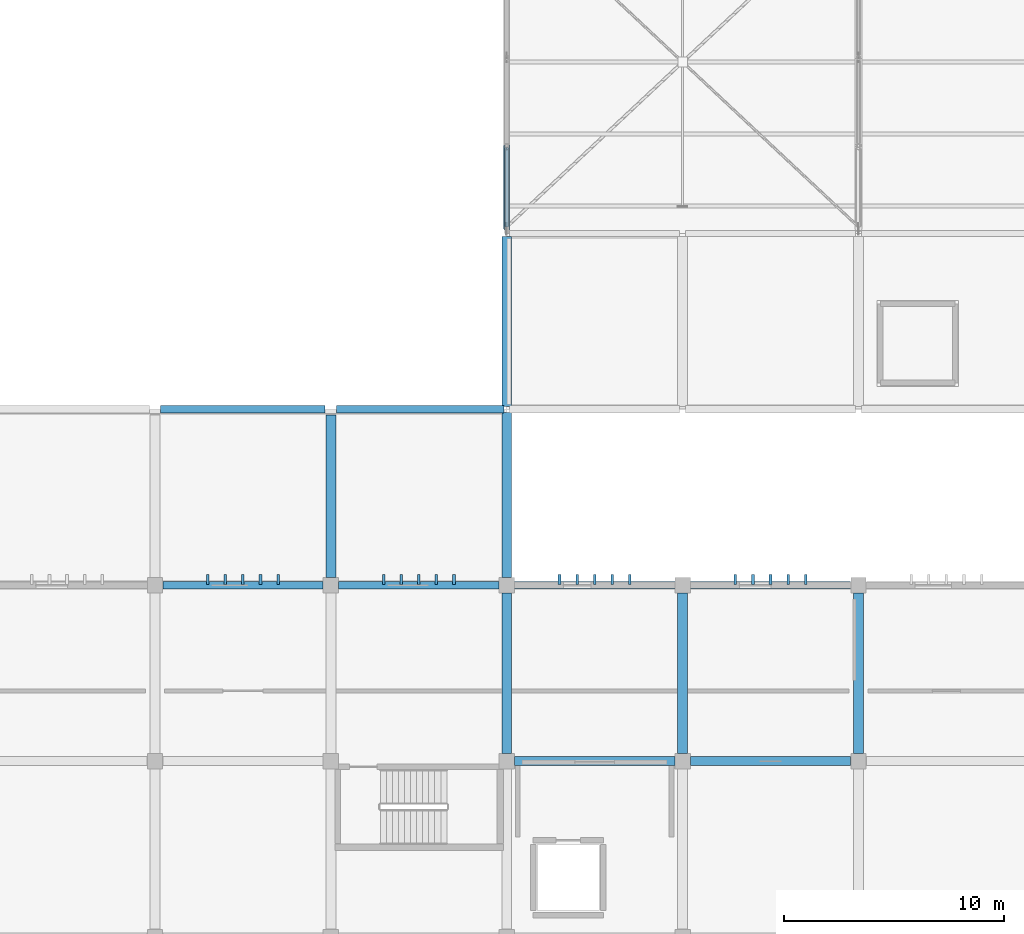
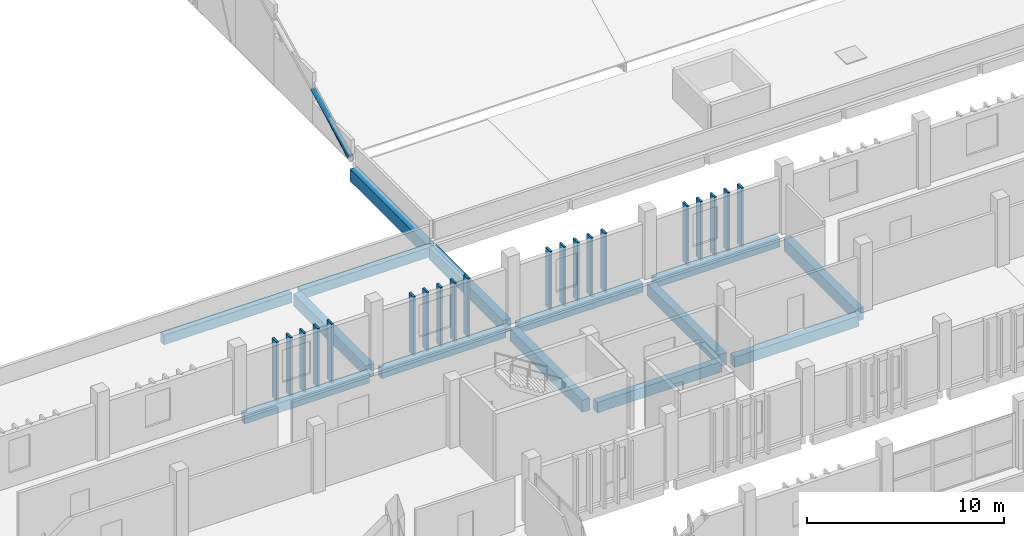
# One storey, part 35 of 137: 22 members, 14 beams.
"""IFC4 building model written with IfcOpenShell, lengths in metres."""

from ifc_helpers import new_model, si_unit, direction, frame, origin, origin_2d, place, context, subcontext, project, spatial, rectangle, hollow_circle, extrude, material, material_profile, profile_set, type_object, element, save


model = new_model("IFC4")

# Units and contexts
model_context = context("Model", 3, precision=1e-05, world=origin(), true_north=direction((0.0, 1.0)))
body_context = subcontext(model_context, "Body", "Model", "MODEL_VIEW")
ifc_project = project(units=[si_unit("LENGTHUNIT", "METRE"), si_unit("AREAUNIT", "SQUARE_METRE"), si_unit("VOLUMEUNIT", "CUBIC_METRE"), si_unit("PLANEANGLEUNIT", "RADIAN"), si_unit("MASSUNIT", "GRAM", prefix="KILO")], contexts=[model_context])

# Site, building, storey
site_placement = place(None, origin())
site = spatial("IfcSite", under=ifc_project, at=site_placement, CompositionType="ELEMENT")
building_placement = place(site_placement, origin())
building = spatial("IfcBuilding", under=site, at=building_placement, Name="Jelvoka-Kovrelna Polytechnic", CompositionType="ELEMENT")
storey_placement = place(building_placement, frame((0.0, 0.0, 9.60009765625)))
storey = spatial("IfcBuildingStorey", under=building, at=storey_placement, Name="L03", CompositionType="ELEMENT", Elevation=9.60009765625)

# Beams
ifc_material_1 = material(Name="Concrete C40/50", Category="concrete")
ifc_material_profile_1 = material_profile(ifc_material_1, rectangle(XDim=0.39990234375, YDim=0.64990234375, at=origin_2d()), Name="RC 400x650")
ifc_profile_set_1 = profile_set([ifc_material_profile_1], Name="Concrete C40/50")
beam_type_1 = type_object("IfcBeamType", Name="Beam_RC_400x650", PredefinedType="BEAM", material=ifc_profile_set_1)
for number, where, z_axis, x_axis, name in (
    (1, (88.35498046875, 64.0, -0.590087890625), (1.0, 0.0, 0.0), (0.0, 1.0, 0.0), "L03 beam 1014"),
    (2, (96.35498046875, 64.0, -0.590087890625), (1.0, 0.0, 0.0), (0.0, 1.0, 0.0), "L03 beam 1015"),
):
    element("IfcBeam", number, at=place(storey_placement, frame(where, z_axis=z_axis, x_axis=x_axis)), inside=storey, type_object=beam_type_1, Name=name, PredefinedType="BEAM", context=body_context, shape_type="SweptSolid", body=[
        extrude(rectangle(XDim=0.39990234375, YDim=0.64990234375, at=origin_2d()), origin(), (0.0, 0.0, 1.0), 7.2900390625),
    ])
ifc_material_2 = material(Name="Concrete C40/50", Category="concrete")
ifc_material_profile_2 = material_profile(ifc_material_2, rectangle(XDim=0.449951171875, YDim=0.75, at=origin_2d()), Name="RC 450x750")
ifc_profile_set_2 = profile_set([ifc_material_profile_2], Name="Concrete C40/50")
beam_type_2 = type_object("IfcBeamType", Name="Beam_RC_450x750", PredefinedType="BEAM", material=ifc_profile_set_2)
for number, where, z_axis, x_axis, name in (
    (3, (88.0, 64.35498046875, -0.64013671875), (0.0, 1.0, 0.0), (-1.0, 0.0, 0.0), "L03 beam 1033"),
    (4, (96.0, 64.35498046875, -0.64013671875), (0.0, 1.0, 0.0), (-1.0, 0.0, 0.0), "L03 beam 1035"),
    (5, (104.0, 64.35498046875, -0.64013671875), (0.0, 1.0, 0.0), (-1.0, 0.0, 0.0), "L03 beam 1037"),
):
    element("IfcBeam", number, at=place(storey_placement, frame(where, z_axis=z_axis, x_axis=x_axis)), inside=storey, type_object=beam_type_2, Name=name, PredefinedType="BEAM", context=body_context, shape_type="SweptSolid", body=[
        extrude(rectangle(XDim=0.449951171875, YDim=0.75, at=origin_2d()), origin(), (0.0, 0.0, 1.0), 7.2900390625),
    ])
beam_1_placement = place(storey_placement, frame((80.0, 72.35498046875, -0.565185546875), z_axis=(0.0, 1.0, 0.0), x_axis=(-1.0, 0.0, 0.0)))
element("IfcBeam", 6, at=beam_1_placement, inside=storey, type_object=beam_type_2, Name="L03 beam 2070", PredefinedType="BEAM", context=body_context, shape_type="SweptSolid", body=[
    extrude(rectangle(XDim=0.449951171875, YDim=0.75, at=origin_2d()), origin(), (0.0, 0.0, 1.0), 7.39013671875),
])
beam_2_placement = place(storey_placement, frame((88.0, 72.35498046875, -0.565185546875), z_axis=(0.0, 1.0, 0.0), x_axis=(-1.0, 0.0, 0.0)))
element("IfcBeam", 7, at=beam_2_placement, inside=storey, type_object=beam_type_2, Name="L03 beam 2071", PredefinedType="BEAM", context=body_context, shape_type="SweptSolid", body=[
    extrude(rectangle(XDim=0.449951171875, YDim=0.75, at=origin_2d()), origin(), (0.0, 0.0, 1.0), 7.51123046875),
])
beam_3_placement = place(storey_placement, frame((88.0, 80.1337890625, -0.585205078125), z_axis=(0.0, 1.0, 0.0), x_axis=(-1.0, 0.0, 0.0)))
element("IfcBeam", 8, at=beam_3_placement, inside=storey, type_object=beam_type_2, Name="L03 beam 2086", PredefinedType="BEAM", context=body_context, shape_type="SweptSolid", body=[
    extrude(rectangle(XDim=0.449951171875, YDim=0.75, at=origin_2d()), origin(), (0.0, 0.0, 1.0), 7.732421875),
])

# Members
ifc_material_3 = material(Name="Precast concrete C40/50", Category="concrete")
ifc_material_profile_3 = material_profile(ifc_material_3, rectangle(XDim=0.1201171875, YDim=0.449951171875, at=origin_2d()), Name="PC 120x450")
ifc_profile_set_3 = profile_set([ifc_material_profile_3], Name="Precast concrete C40/50")
member_type_1 = type_object("IfcMemberType", Name="Louvre_Fin_120x450", PredefinedType="USERDEFINED", material=ifc_profile_set_3)
for number, where, z_axis, x_axis, name in (
    (9, (74.39990234375, 72.264892578125, -0.27001953125), (0.0, 0.0, 1.0), (1.0, 0.0, 0.0), "L03 B3 north vertical solar louvre fin 1481"),
    (10, (75.199951171875, 72.264892578125, -0.27001953125), (0.0, 0.0, 1.0), (1.0, 0.0, 0.0), "L03 B3 north vertical solar louvre fin 1482"),
    (11, (76.0, 72.264892578125, -0.27001953125), (0.0, 0.0, 1.0), (1.0, 0.0, 0.0), "L03 B3 north vertical solar louvre fin 1483"),
    (12, (76.800048828125, 72.264892578125, -0.27001953125), (0.0, 0.0, 1.0), (1.0, 0.0, 0.0), "L03 B3 north vertical solar louvre fin 1484"),
    (13, (77.60009765625, 72.264892578125, -0.27001953125), (0.0, 0.0, 1.0), (1.0, 0.0, 0.0), "L03 B3 north vertical solar louvre fin 1485"),
    (14, (82.39990234375, 72.264892578125, -0.27001953125), (0.0, 0.0, 1.0), (1.0, 0.0, 0.0), "L03 B3 north vertical solar louvre fin 1491"),
    (15, (83.199951171875, 72.264892578125, -0.27001953125), (0.0, 0.0, 1.0), (1.0, 0.0, 0.0), "L03 B3 north vertical solar louvre fin 1492"),
    (16, (84.0, 72.264892578125, -0.27001953125), (0.0, 0.0, 1.0), (1.0, 0.0, 0.0), "L03 B3 north vertical solar louvre fin 1493"),
    (17, (84.800048828125, 72.264892578125, -0.27001953125), (0.0, 0.0, 1.0), (1.0, 0.0, 0.0), "L03 B3 north vertical solar louvre fin 1494"),
    (18, (85.60009765625, 72.264892578125, -0.27001953125), (0.0, 0.0, 1.0), (1.0, 0.0, 0.0), "L03 B3 north vertical solar louvre fin 1495"),
    (19, (90.39990234375, 72.264892578125, -0.27001953125), (0.0, 0.0, 1.0), (1.0, 0.0, 0.0), "L03 B3 north vertical solar louvre fin 1501"),
    (20, (91.199951171875, 72.264892578125, -0.27001953125), (0.0, 0.0, 1.0), (1.0, 0.0, 0.0), "L03 B3 north vertical solar louvre fin 1502"),
    (21, (92.0, 72.264892578125, -0.27001953125), (0.0, 0.0, 1.0), (1.0, 0.0, 0.0), "L03 B3 north vertical solar louvre fin 1503"),
    (22, (92.800048828125, 72.264892578125, -0.27001953125), (0.0, 0.0, 1.0), (1.0, 0.0, 0.0), "L03 B3 north vertical solar louvre fin 1504"),
    (23, (93.60009765625, 72.264892578125, -0.27001953125), (0.0, 0.0, 1.0), (1.0, 0.0, 0.0), "L03 B3 north vertical solar louvre fin 1505"),
    (24, (98.39990234375, 72.264892578125, -0.27001953125), (0.0, 0.0, 1.0), (1.0, 0.0, 0.0), "L03 B3 north vertical solar louvre fin 1511"),
    (25, (99.199951171875, 72.264892578125, -0.27001953125), (0.0, 0.0, 1.0), (1.0, 0.0, 0.0), "L03 B3 north vertical solar louvre fin 1512"),
    (26, (100.0, 72.264892578125, -0.27001953125), (0.0, 0.0, 1.0), (1.0, 0.0, 0.0), "L03 B3 north vertical solar louvre fin 1513"),
    (27, (100.800048828125, 72.264892578125, -0.27001953125), (0.0, 0.0, 1.0), (1.0, 0.0, 0.0), "L03 B3 north vertical solar louvre fin 1514"),
    (28, (101.60009765625, 72.264892578125, -0.27001953125), (0.0, 0.0, 1.0), (1.0, 0.0, 0.0), "L03 B3 north vertical solar louvre fin 1515"),
):
    element("IfcMember", number, at=place(storey_placement, frame(where, z_axis=z_axis, x_axis=x_axis)), inside=storey, type_object=member_type_1, Name=name, ObjectType="SUNSHADE", PredefinedType="USERDEFINED", context=body_context, shape_type="SweptSolid", body=[
        extrude(rectangle(XDim=0.1201171875, YDim=0.449951171875, at=origin_2d()), origin(), (0.0, 0.0, 1.0), 3.64501953125),
    ])
ifc_material_4 = material(Name="Structural steel S355J2H", Category="steel")
ifc_material_profile_4 = material_profile(ifc_material_4, hollow_circle(Radius=0.109619140625, WallThickness=0.008056640625, at=origin_2d()), Name="219.1x8.0 CHS")
ifc_profile_set_4 = profile_set([ifc_material_profile_4], Name="Structural steel S355J2H")
member_type_2 = type_object("IfcMemberType", Name="Member_Brace_CHS219", PredefinedType="BRACE", material=ifc_profile_set_4)
member_1_placement = place(storey_placement, frame((88.0, 88.340087890625, 0.14990234375), z_axis=(0.0, 0.878084029324, 0.478506465418), x_axis=(-1.0, 0.0, 0.0)))
element("IfcMember", 29, at=member_1_placement, inside=storey, type_object=member_type_2, Name="Sawtooth truss 1 diagonal web 1.1", PredefinedType="BRACE", context=body_context, shape_type="SweptSolid", body=[
    extrude(hollow_circle(Radius=0.109619140625, WallThickness=0.008056640625, at=origin_2d()), origin(), (0.0, 0.0, 1.0), 4.0087890625),
])
ifc_material_5 = material(Name="Structural steel S355J2H", Category="steel")
ifc_material_profile_5 = material_profile(ifc_material_5, hollow_circle(Radius=0.136474609375, WallThickness=0.010009765625, at=origin_2d()), Name="273.0x10.0 CHS")
ifc_profile_set_5 = profile_set([ifc_material_profile_5], Name="Structural steel S355J2H")
member_type_3 = type_object("IfcMemberType", Name="Member_Chord_CHS273", PredefinedType="CHORD", material=ifc_profile_set_5)
member_2_placement = place(storey_placement, frame((88.0, 88.199951171875, 0.31640625), z_axis=(0.0, 0.900803851837, 0.434226231952), x_axis=(-1.0, 0.0, 0.0)))
element("IfcMember", 30, at=member_2_placement, inside=storey, type_object=member_type_3, Name="Sawtooth truss 1 top chord 1.1", PredefinedType="CHORD", context=body_context, shape_type="SweptSolid", body=[
    extrude(hollow_circle(Radius=0.136474609375, WallThickness=0.010009765625, at=origin_2d()), origin(), (0.0, 0.0, 1.0), 4.218505859375),
])

# Beams
ifc_material_6 = material(Name="Concrete C40/50", Category="concrete")
ifc_material_profile_6 = material_profile(ifc_material_6, rectangle(XDim=0.35009765625, YDim=0.60009765625, at=origin_2d()), Name="RC 350x600")
ifc_profile_set_6 = profile_set([ifc_material_profile_6], Name="Concrete C40/50")
beam_type_3 = type_object("IfcBeamType", Name="Spandrel_RC_350x600", PredefinedType="SPANDREL", material=ifc_profile_set_6)
for number, where, z_axis, x_axis, name in (
    (31, (72.35498046875, 72.0, -0.565185546875), (1.0, 0.0, 0.0), (0.0, 1.0, 0.0), "L03 beam 1019"),
    (32, (80.35498046875, 72.0, -0.565185546875), (1.0, 0.0, 0.0), (0.0, 1.0, 0.0), "L03 beam 1020"),
    (33, (88.35498046875, 72.0, -0.565185546875), (1.0, 0.0, 0.0), (0.0, 1.0, 0.0), "L03 beam 1021"),
    (34, (96.35498046875, 72.0, -0.565185546875), (1.0, 0.0, 0.0), (0.0, 1.0, 0.0), "L03 beam 1022"),
):
    element("IfcBeam", number, at=place(storey_placement, frame(where, z_axis=z_axis, x_axis=x_axis)), inside=storey, type_object=beam_type_3, Name=name, PredefinedType="SPANDREL", context=body_context, shape_type="SweptSolid", body=[
        extrude(rectangle(XDim=0.35009765625, YDim=0.60009765625, at=origin_2d()), origin(), (0.0, 0.0, 1.0), 7.2900390625),
    ])
beam_4_placement = place(storey_placement, frame((72.2548828125, 80.0, -0.489990234375), z_axis=(1.0, 0.0, 0.0), x_axis=(0.0, 1.0, 0.0)))
element("IfcBeam", 35, at=beam_4_placement, inside=storey, type_object=beam_type_3, Name="L03 beam 2064", PredefinedType="SPANDREL", context=body_context, shape_type="SweptSolid", body=[
    extrude(rectangle(XDim=0.35009765625, YDim=0.60009765625, at=origin_2d()), origin(), (0.0, 0.0, 1.0), 7.490234375),
])
beam_5_placement = place(storey_placement, frame((80.2548828125, 80.0, -0.489990234375), z_axis=(1.0, 0.0, 0.0), x_axis=(0.0, 1.0, 0.0)))
element("IfcBeam", 36, at=beam_5_placement, inside=storey, type_object=beam_type_3, Name="L03 beam 2065", PredefinedType="SPANDREL", context=body_context, shape_type="SweptSolid", body=[
    extrude(rectangle(XDim=0.35009765625, YDim=0.60009765625, at=origin_2d()), origin(), (0.0, 0.0, 1.0), 7.612548828125),
])

save(model, "model.ifc")
